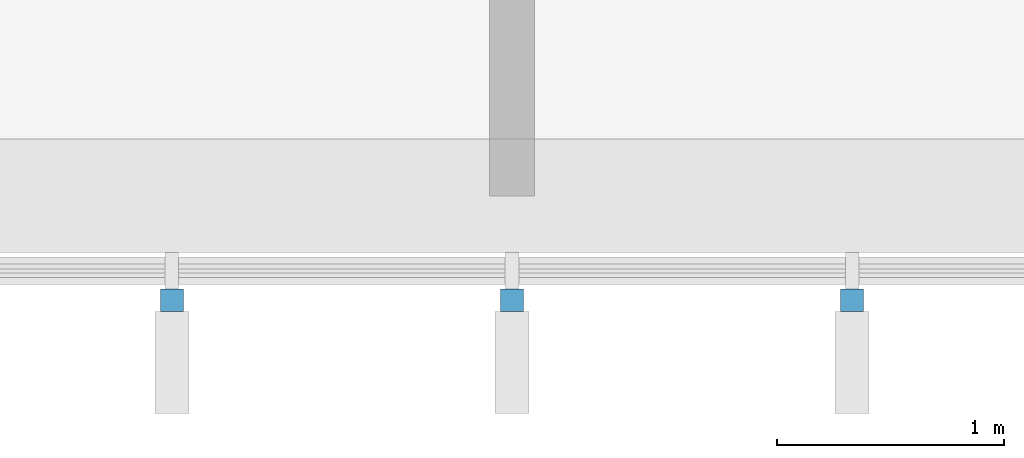
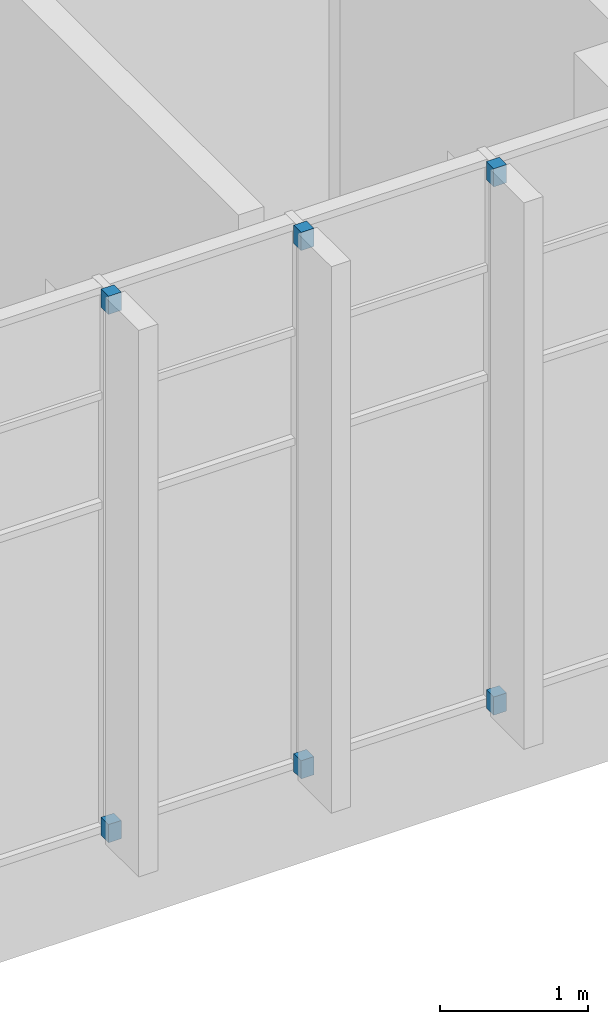
# One storey, part 33 of 40: 6 discrete accessories.
"""IFC4 building model written with IfcOpenShell, lengths in metres."""

from ifc_helpers import new_model, si_unit, direction, frame, origin, origin_2d, place, context, subcontext, project, spatial, rectangle, extrude, material, type_object, element, save


model = new_model("IFC4")

# Units and contexts
model_context = context("Model", 3, precision=1e-05, world=origin(), true_north=direction((0.0, 1.0)))
body_context = subcontext(model_context, "Body", "Model", "MODEL_VIEW")
ifc_project = project(units=[si_unit("LENGTHUNIT", "METRE"), si_unit("AREAUNIT", "SQUARE_METRE"), si_unit("VOLUMEUNIT", "CUBIC_METRE"), si_unit("PLANEANGLEUNIT", "RADIAN"), si_unit("MASSUNIT", "GRAM", prefix="KILO")], contexts=[model_context])

# Site, building, storey
site_placement = place(None, origin())
site = spatial("IfcSite", under=ifc_project, at=site_placement, CompositionType="ELEMENT")
building_placement = place(site_placement, origin())
building = spatial("IfcBuilding", under=site, at=building_placement, Name="Guidao Yard Department Store", CompositionType="ELEMENT")
storey_placement = place(building_placement, frame((0.0, 0.0, 24.0)))
storey = spatial("IfcBuildingStorey", under=building, at=storey_placement, Name="L05", CompositionType="ELEMENT", Elevation=24.0)

# Discrete accessories
ifc_material = material(Name="Steel Q355B", Category="steel")
discrete_accessory_type = type_object("IfcDiscreteAccessoryType", Name="Fin bracket BR3 steel plate", PredefinedType="BRACKET", material=ifc_material)
for number, where, z_axis, x_axis, name in (
    (1, (157.5, -0.4599609375, 0.0), (0.0, 0.0, 1.0), (-1.0, 0.0, 0.0), "Fin bracket"),
    (2, (157.5, -0.4599609375, 4.35009765625), (0.0, 0.0, 1.0), (-1.0, 0.0, 0.0), "Fin bracket"),
    (3, (159.0, -0.4599609375, 0.0), (0.0, 0.0, 1.0), (-1.0, 0.0, 0.0), "Fin bracket"),
    (4, (159.0, -0.4599609375, 4.35009765625), (0.0, 0.0, 1.0), (-1.0, 0.0, 0.0), "Fin bracket"),
    (5, (160.5, -0.4599609375, 0.0), (0.0, 0.0, 1.0), (-1.0, 0.0, 0.0), "Fin bracket"),
    (6, (160.5, -0.4599609375, 4.35009765625), (0.0, 0.0, 1.0), (-1.0, 0.0, 0.0), "Fin bracket"),
):
    element("IfcDiscreteAccessory", number, at=place(storey_placement, frame(where, z_axis=z_axis, x_axis=x_axis)), inside=storey, type_object=discrete_accessory_type, Name=name, PredefinedType="BRACKET", context=body_context, shape_type="SweptSolid", body=[
        extrude(rectangle(XDim=0.10009765625, YDim=0.10009765625, at=origin_2d()), origin(), (0.0, 0.0, 1.0), 0.14990234375),
    ])

save(model, "model.ifc")
